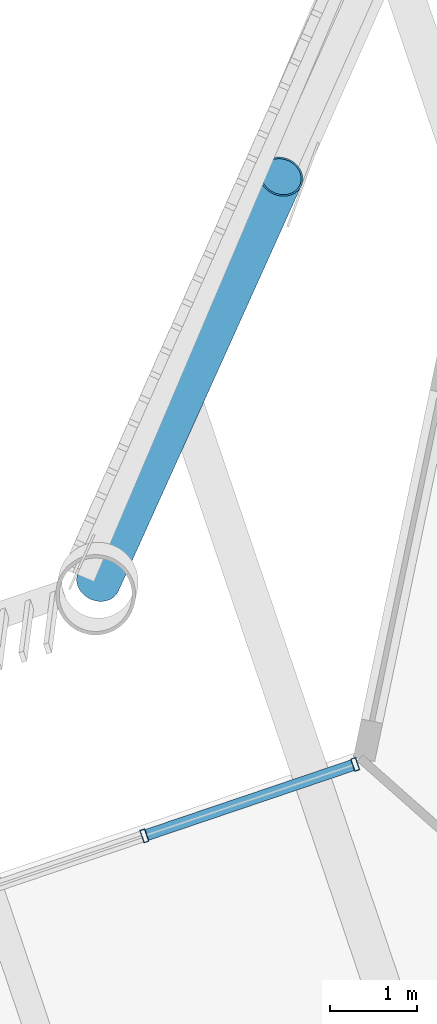
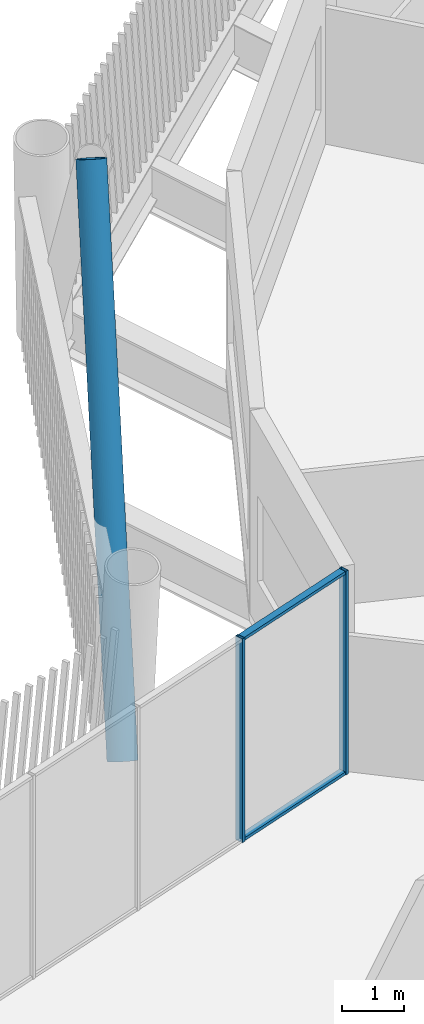
# One storey, part 13 of 35: 5 members, 1 element without a shape of its own.
"""IFC4 building model written with IfcOpenShell, lengths in metres."""

from ifc_helpers import new_model, si_unit, direction, frame, origin, origin_2d, place, context, subcontext, project, spatial, hollow_rectangle, hollow_circle, extrude, material, layer, layer_set, material_profile, profile_set, type_object, element, aggregate, save


model = new_model("IFC4")

# Units and contexts
model_context = context("Model", 3, precision=1e-05, world=origin(), true_north=direction((0.0, 1.0)))
body_context = subcontext(model_context, "Body", "Model", "MODEL_VIEW")
ifc_project = project(units=[si_unit("LENGTHUNIT", "METRE"), si_unit("AREAUNIT", "SQUARE_METRE"), si_unit("VOLUMEUNIT", "CUBIC_METRE"), si_unit("PLANEANGLEUNIT", "RADIAN"), si_unit("MASSUNIT", "GRAM", prefix="KILO")], contexts=[model_context])

# Site, building, storey
site_placement = place(None, origin())
site = spatial("IfcSite", under=ifc_project, at=site_placement, CompositionType="ELEMENT")
building_placement = place(site_placement, origin())
building = spatial("IfcBuilding", under=site, at=building_placement, Name="Tarsis Ring Headquarters", CompositionType="ELEMENT")
storey_placement = place(building_placement, frame((0.0, 0.0, 360.800048828125)))
storey = spatial("IfcBuildingStorey", under=building, at=storey_placement, Name="L85", CompositionType="ELEMENT", Elevation=360.800048828125)

# Curtain wall, members
ifc_material_1 = material(Name="Aluminium curtain wall", Category="aluminium")
ifc_layer = layer(ifc_material_1, 0.14990234375)
ifc_layer_set = layer_set([ifc_layer], Name="Curtain wall tower unit")
curtain_wall_type = type_object("IfcCurtainWallType", Name="Curtain wall tower unit", PredefinedType="NOTDEFINED", material=ifc_layer_set)
curtain_wall_placement = place(storey_placement, origin())
curtain_wall = element("IfcCurtainWall", 1, at=curtain_wall_placement, inside=storey, type_object=curtain_wall_type, Name="Curtain wall L85-31", PredefinedType="NOTDEFINED")
ifc_material_2 = material(Name="Aluminium mullion", Category="aluminium")
ifc_material_profile_1 = material_profile(ifc_material_2, hollow_rectangle(XDim=0.14990234375, YDim=0.06005859375, WallThickness=0.0048828125, at=origin_2d()), Name="RHS 150x60x5")
ifc_profile_set_1 = profile_set([ifc_material_profile_1], Name="Aluminium mullion")
member_type_1 = type_object("IfcMemberType", Name="Curtain wall mullion tower unit RHS 150x60x5", PredefinedType="MULLION", material=ifc_profile_set_1)
member_1_placement = place(storey_placement, frame((-25.4794921875, 3.904052734375, 0.0), z_axis=(0.0, 0.0, 1.0), x_axis=(0.320943632718, -0.947098297231, 0.0)))
member_1 = element("IfcMember", 2, at=member_1_placement, type_object=member_type_1, Name="CW-T mullion 1", PredefinedType="MULLION", context=body_context, shape_type="SweptSolid", body=[
    extrude(hollow_rectangle(XDim=0.14990234375, YDim=0.06005859375, WallThickness=0.0048828125, at=origin_2d()), origin(), (0.0, 0.0, 1.0), 4.0400390625),
])
member_2_placement = place(storey_placement, frame((-27.89501953125, 3.08544921875, 0.0), z_axis=(0.0, 0.0, 1.0), x_axis=(0.320943632718, -0.947098297231, 0.0)))
member_2 = element("IfcMember", 3, at=member_2_placement, type_object=member_type_1, Name="CW-T mullion 2", PredefinedType="MULLION", context=body_context, shape_type="SweptSolid", body=[
    extrude(hollow_rectangle(XDim=0.14990234375, YDim=0.06005859375, WallThickness=0.0048828125, at=origin_2d()), origin(), (0.0, 0.0, 1.0), 4.0400390625),
])
ifc_material_3 = material(Name="Aluminium transom", Category="aluminium")
ifc_material_profile_2 = material_profile(ifc_material_3, hollow_rectangle(XDim=0.1298828125, YDim=0.06005859375, WallThickness=0.0048828125, at=origin_2d()), Name="RHS 130x60x5")
ifc_profile_set_2 = profile_set([ifc_material_profile_2], Name="Aluminium transom")
member_type_2 = type_object("IfcMemberType", Name="Curtain wall transom tower unit RHS 130x60x5", PredefinedType="USERDEFINED", material=ifc_profile_set_2)
member_3_placement = place(storey_placement, frame((-25.508056640625, 3.894287109375, 0.030029296875), z_axis=(-0.947112858023, -0.320900660902, 0.0), x_axis=(0.320900660902, -0.947112858023, 0.0)))
member_3 = element("IfcMember", 4, at=member_3_placement, type_object=member_type_2, Name="CW-T transom 1.1", ObjectType="TRANSOM", PredefinedType="USERDEFINED", context=body_context, shape_type="SweptSolid", body=[
    extrude(hollow_rectangle(XDim=0.1298828125, YDim=0.06005859375, WallThickness=0.0048828125, at=origin_2d()), origin(), (0.0, 0.0, 1.0), 2.489990234375),
])
member_4_placement = place(storey_placement, frame((-25.508056640625, 3.894287109375, 4.010009765625), z_axis=(-0.947112858023, -0.320900660902, 0.0), x_axis=(0.320900660902, -0.947112858023, 0.0)))
member_4 = element("IfcMember", 5, at=member_4_placement, type_object=member_type_2, Name="CW-T transom 1.2", ObjectType="TRANSOM", PredefinedType="USERDEFINED", context=body_context, shape_type="SweptSolid", body=[
    extrude(hollow_rectangle(XDim=0.1298828125, YDim=0.06005859375, WallThickness=0.0048828125, at=origin_2d()), origin(), (0.0, 0.0, 1.0), 2.489990234375),
])
aggregate(curtain_wall, [member_1, member_2, member_3, member_4])

# Member
ifc_material_4 = material(Name="Structural steel S355", Category="steel")
ifc_material_profile_3 = material_profile(ifc_material_4, hollow_circle(Radius=0.25390625, WallThickness=0.02001953125, at=origin_2d()), Name="CHS 508x20")
ifc_profile_set_3 = profile_set([ifc_material_profile_3], Name="Structural steel S355")
member_type_3 = type_object("IfcMemberType", Name="XD X brace CHS 508x20", PredefinedType="BRACE", material=ifc_profile_set_3)
member_5_placement = place(storey_placement, frame((-28.423095703125, 5.994873046875, 0.0), z_axis=(0.213306464659, 0.472614358431, 0.855064921711), x_axis=(-0.911466267376, 0.411374821101, 0.0)))
element("IfcMember", 6, at=member_5_placement, inside=storey, type_object=member_type_3, Name="X brace XD2", PredefinedType="BRACE", context=body_context, shape_type="SweptSolid", body=[
    extrude(hollow_circle(Radius=0.25390625, WallThickness=0.02001953125, at=origin_2d()), origin(), (0.0, 0.0, 1.0), 9.82373046875),
])

save(model, "model.ifc")
